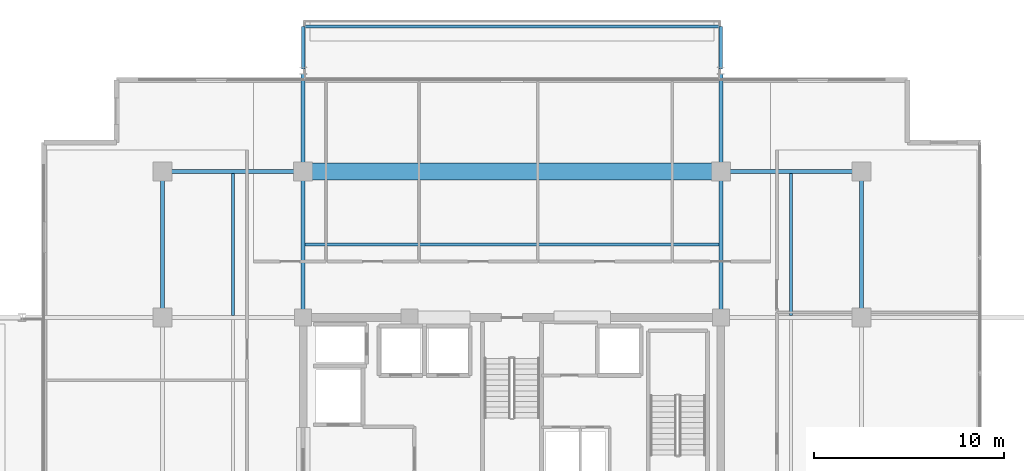
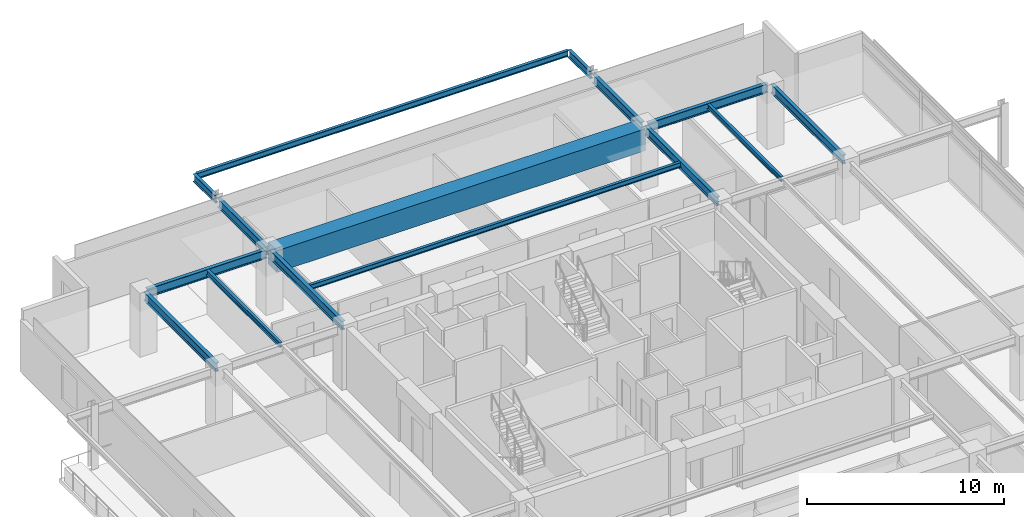
# One storey, part 10 of 20: 15 beams.
"""IFC4 building model written with IfcOpenShell, lengths in metres."""

import ifcopenshell
import ifcopenshell.guid

model = None  # the IFC model being written
_history = None  # IfcOwnerHistory: only IFC2X3 demands one
_inside = {}  # id of a spatial element -> (the spatial element, [elements in it])
_under = {}  # id of a project, library or spatial element -> (it, [spatial elements below it])
_declared = {}  # id of a project -> (the project, [libraries it declares])
_typed = {}  # id of a type object -> (the type object, [elements of that type])
_made_of = {}  # id of a material, layer set ... -> (it, [elements and type objects made of it])


def new_model(schema):
    """Start an empty IFC model of exactly this schema.

    Asked for "IFC4X3", IfcOpenShell would pick the latest addendum, in which some entities
    have other attributes; the version numbers below select the first issue.
    IFC2X3 requires an IfcOwnerHistory on every rooted entity: one is made here for all.
    """
    global model, _history
    if schema == "IFC4X3":
        model = ifcopenshell.file(schema_version=(4, 3, 0, 0))
    else:
        model = ifcopenshell.file(schema=schema)
    _inside.clear()
    _under.clear()
    _declared.clear()
    _typed.clear()
    _made_of.clear()
    _history = None
    if model.schema == "IFC2X3":
        org = make("IfcOrganization", Name="unknown")
        user = make(
            "IfcPersonAndOrganization",
            ThePerson=make("IfcPerson", FamilyName="unknown"),
            TheOrganization=org,
        )
        app = make(
            "IfcApplication",
            ApplicationDeveloper=org,
            Version="unknown",
            ApplicationFullName="unknown",
            ApplicationIdentifier="unknown",
        )
        _history = make(
            "IfcOwnerHistory",
            OwningUser=user,
            OwningApplication=app,
            ChangeAction="ADDED",
            CreationDate=0,
        )
    return model


def make(cls, **values):
    """One entity of the class cls with the attributes given. An attribute that is None is left unset."""
    return model.create_entity(
        cls, **{name: value for name, value in values.items() if value is not None}
    )


def rooted(cls, **values):
    """An entity with a GlobalId (a new one), such as an element, a storey or a relation."""
    return make(cls, GlobalId=ifcopenshell.guid.new(), OwnerHistory=_history, **values)


def si_unit(unit_type, name, prefix=None):
    """IfcSIUnit, for example si_unit("LENGTHUNIT", "METRE", prefix="MILLI")."""
    return make("IfcSIUnit", UnitType=unit_type, Prefix=prefix, Name=name)


def assignment(units):
    """IfcUnitAssignment: the units of a project."""
    return None if units is None else make("IfcUnitAssignment", Units=units)


def point(xyz):
    """IfcCartesianPoint."""
    return None if xyz is None else make("IfcCartesianPoint", Coordinates=xyz)


def direction(xyz):
    """IfcDirection."""
    return None if xyz is None else make("IfcDirection", DirectionRatios=xyz)


def frame(location, z_axis=None, x_axis=None):
    """IfcAxis2Placement3D, a coordinate frame: its origin and axes. An axis left out is left unset."""
    return make(
        "IfcAxis2Placement3D",
        Location=point(location),
        Axis=direction(z_axis),
        RefDirection=direction(x_axis),
    )


def frame_2d(location, x_axis=None):
    """IfcAxis2Placement2D, a coordinate frame in the plane: its origin and x axis."""
    return make(
        "IfcAxis2Placement2D", Location=point(location), RefDirection=direction(x_axis)
    )


def origin():
    """The frame at (0, 0, 0) with its axes left unset."""
    return frame((0.0, 0.0, 0.0))


def origin_2d():
    """The frame at (0, 0) in the plane with its x axis left unset."""
    return frame_2d((0.0, 0.0))


def place(relative_to, where):
    """IfcLocalPlacement: puts the frame where relative to a parent placement (None: the world)."""
    return make(
        "IfcLocalPlacement", PlacementRelTo=relative_to, RelativePlacement=where
    )


def context(
    kind, dimensions, precision=None, world=None, true_north=None, identifier=None
):
    """IfcGeometricRepresentationContext, for example the 3D "Model" context."""
    return make(
        "IfcGeometricRepresentationContext",
        ContextIdentifier=identifier,
        ContextType=kind,
        CoordinateSpaceDimension=dimensions,
        Precision=precision,
        WorldCoordinateSystem=world,
        TrueNorth=true_north,
    )


def subcontext(parent, identifier, kind, view, scale=None):
    """IfcGeometricRepresentationSubContext, for example "Body" below "Model"."""
    return make(
        "IfcGeometricRepresentationSubContext",
        ContextIdentifier=identifier,
        ContextType=kind,
        ParentContext=parent,
        TargetScale=scale,
        TargetView=view,
    )


def project(units=None, contexts=None):
    """IfcProject with its units and contexts."""
    return rooted(
        "IfcProject",
        Name="project",
        RepresentationContexts=contexts,
        UnitsInContext=assignment(units),
    )


def spatial(cls, under=None, at=None, **own):
    """A site, building, storey or space (cls), placed at a placement, below another one or the project."""
    s = rooted(cls, ObjectPlacement=at, **own)
    if under is not None:
        _under.setdefault(under.id(), (under, []))[1].append(s)
    return s


def profile(cls, at=None, kind="AREA", **sizes):
    """A parametric profile (cls). Its sizes go by their IFC names, for example OverallWidth=200.0."""
    return make(cls, ProfileType=kind, Position=at, **sizes)


def rectangle(**sizes):
    """IfcRectangleProfileDef."""
    return profile("IfcRectangleProfileDef", **sizes)


def i_section(**sizes):
    """IfcIShapeProfileDef."""
    return profile("IfcIShapeProfileDef", **sizes)


def extrude(swept, where, along, depth):
    """IfcExtrudedAreaSolid: the profile swept, set in the frame where, extruded along a direction by depth."""
    return make(
        "IfcExtrudedAreaSolid",
        SweptArea=swept,
        Position=where,
        ExtrudedDirection=direction(along),
        Depth=depth,
    )


def shape(context_of_items, identifier, shape_type, items):
    """IfcShapeRepresentation: the items that make up one representation, for example the "Body"."""
    return make(
        "IfcShapeRepresentation",
        ContextOfItems=context_of_items,
        RepresentationIdentifier=identifier,
        RepresentationType=shape_type,
        Items=items,
    )


def material(Name=None, Category=None):
    """IfcMaterial."""
    return make("IfcMaterial", Name=Name, Category=Category)


def material_profile(
    of_material, cross_section, Name=None, Category=None, Priority=None
):
    """IfcMaterialProfile: a cross section and its material."""
    return make(
        "IfcMaterialProfile",
        Name=Name,
        Material=of_material,
        Profile=cross_section,
        Priority=Priority,
        Category=Category,
    )


def profile_set(profiles, Name=None, composite=None):
    """IfcMaterialProfileSet."""
    return make(
        "IfcMaterialProfileSet",
        Name=Name,
        MaterialProfiles=profiles,
        CompositeProfile=composite,
    )


def made_of(thing, what):
    """Note that an element or type object is made of a material, layer set ...; save() writes the relation."""
    if what is not None:
        _made_of.setdefault(what.id(), (what, []))[1].append(thing)
    return thing


def type_object(cls, material=None, **own):
    """A type object (cls), such as IfcWallType, which elements share."""
    return made_of(rooted(cls, **own), material)


def element(
    cls,
    number,
    at=None,
    inside=None,
    cuts=None,
    type_object=None,
    material=None,
    context=None,
    identifier="Body",
    shape_type=None,
    held_by="IfcProductDefinitionShape",
    body=None,
    shapes=None,
    **own,
):
    """One element of the class cls, such as IfcWall. Its Tag is "e" and its number.

    at: its placement. inside: the storey or other place that contains it. cuts: it is an
    opening in that element (IfcRelVoidsElement). A single representation is given by context,
    identifier, shape_type and body (its items); several are given by shapes. held_by: the class
    of the entity that holds the representations. save() writes the other relations.
    """
    e = rooted(cls, Tag="e%d" % number, ObjectPlacement=at, **own)
    if body is not None:
        shapes = [shape(context, identifier, shape_type, body)]
    if shapes is not None:
        e.Representation = make(held_by, Representations=shapes)
    if inside is not None:
        _inside.setdefault(inside.id(), (inside, []))[1].append(e)
    if cuts is not None:
        rooted(
            "IfcRelVoidsElement", RelatingBuildingElement=cuts, RelatedOpeningElement=e
        )
    if type_object is not None:
        _typed.setdefault(type_object.id(), (type_object, []))[1].append(e)
    return made_of(e, material)


def aggregate(whole, parts):
    """IfcRelAggregates: a whole, such as a stair, and the parts it consists of."""
    return rooted("IfcRelAggregates", RelatingObject=whole, RelatedObjects=parts)


def save(model, path):
    """Write the relations noted so far, then the file.

    IfcRelAggregates (storeys below a building ...), IfcRelContainedInSpatialStructure (elements
    in a storey), IfcRelDefinesByType, IfcRelAssociatesMaterial and IfcRelDeclares: one each for
    every whole, place, type object, material and project.
    """
    for whole, parts in _under.values():
        aggregate(whole, parts)
    for where, things in _inside.values():
        rooted(
            "IfcRelContainedInSpatialStructure",
            RelatedElements=things,
            RelatingStructure=where,
        )
    for kind, things in _typed.values():
        rooted("IfcRelDefinesByType", RelatedObjects=things, RelatingType=kind)
    for what, things in _made_of.values():
        rooted("IfcRelAssociatesMaterial", RelatedObjects=things, RelatingMaterial=what)
    for by, libraries in _declared.values():
        rooted("IfcRelDeclares", RelatingContext=by, RelatedDefinitions=libraries)
    model.write(path)


model = new_model("IFC4")

# Units and contexts
model_context = context("Model", 3, precision=1e-05, world=origin(), true_north=direction((0.0, 1.0)))
body_context = subcontext(model_context, "Body", "Model", "MODEL_VIEW")
ifc_project = project(units=[si_unit("LENGTHUNIT", "METRE"), si_unit("AREAUNIT", "SQUARE_METRE"), si_unit("VOLUMEUNIT", "CUBIC_METRE"), si_unit("PLANEANGLEUNIT", "RADIAN"), si_unit("MASSUNIT", "GRAM", prefix="KILO")], contexts=[model_context])

# Site, building, storey
site_placement = place(None, origin())
site = spatial("IfcSite", under=ifc_project, at=site_placement, CompositionType="ELEMENT")
building_placement = place(site_placement, origin())
building = spatial("IfcBuilding", under=site, at=building_placement, Name="Kovane Verandah Tower", CompositionType="ELEMENT")
storey_placement = place(building_placement, frame((0.0, 0.0, 330.800048828125)))
storey = spatial("IfcBuildingStorey", under=building, at=storey_placement, Name="L77", CompositionType="ELEMENT", Elevation=330.800048828125)

# Beams
ifc_material_1 = material(Name="Concrete C80/95", Category="concrete")
ifc_material_profile_1 = material_profile(ifc_material_1, rectangle(XDim=0.89990234375, YDim=1.35009765625, at=origin_2d()), Name="RCB900x1350")
ifc_profile_set_1 = profile_set([ifc_material_profile_1], Name="Concrete C80/95")
beam_type_1 = type_object("IfcBeamType", Name="BM-TR-900x1350", PredefinedType="BEAM", material=ifc_profile_set_1)
beam_1_placement = place(storey_placement, frame((29.179931640625, 44.199951171875, 3.10986328125), z_axis=(1.0, 0.0, 0.0), x_axis=(0.0, 1.0, 0.0)))
element("IfcBeam", 1, at=beam_1_placement, inside=storey, type_object=beam_type_1, Name="L77 Primary Tower Girder G-RN2", PredefinedType="BEAM", context=body_context, shape_type="SweptSolid", body=[
    extrude(rectangle(XDim=0.89990234375, YDim=1.35009765625, at=origin_2d()), origin(), (0.0, 0.0, 1.0), 21.64013671875),
])
ifc_material_2 = material(Name="Steel S355", Category="steel")
ifc_material_profile_2 = material_profile(ifc_material_2, i_section(OverallWidth=0.2119140625, OverallDepth=0.54443359375, WebThickness=0.0126953125, FlangeThickness=0.021240234375, FilletRadius=0.0126953125, at=origin_2d()), Name="UB533x210x122")
ifc_profile_set_2 = profile_set([ifc_material_profile_2], Name="Steel S355")
beam_type_2 = type_object("IfcBeamType", Name="BM-UB533x122", PredefinedType="BEAM", material=ifc_profile_set_2)
for number, where, z_axis, x_axis, name in (
    (2, (21.780029296875, 44.199951171875, 3.5126953125), (1.0, 0.0, 0.0), (0.0, 1.0, 0.0), "L77 Primary Tower Girder G-RN1"),
    (3, (51.179931640625, 44.199951171875, 3.5126953125), (1.0, 0.0, 0.0), (0.0, 1.0, 0.0), "L77 Primary Tower Girder G-RN3"),
):
    element("IfcBeam", number, at=place(storey_placement, frame(where, z_axis=z_axis, x_axis=x_axis)), inside=storey, type_object=beam_type_2, Name=name, PredefinedType="BEAM", context=body_context, shape_type="SweptSolid", body=[
        extrude(i_section(OverallWidth=0.2119140625, OverallDepth=0.54443359375, WebThickness=0.0126953125, FlangeThickness=0.021240234375, FilletRadius=0.0126953125, at=origin_2d()), origin(), (0.0, 0.0, 1.0), 7.0400390625),
    ])
for number, where, z_axis, x_axis, name in (
    (4, (21.60009765625, 36.679931640625, 3.5126953125), (0.0, 1.0, 0.0), (-1.0, 0.0, 0.0), "L77 Primary Tower Girder G-RW3"),
    (5, (58.39990234375, 36.679931640625, 3.5126953125), (0.0, 1.0, 0.0), (-1.0, 0.0, 0.0), "L77 Primary Tower Girder G-RE3"),
    (6, (29.0, 36.679931640625, 3.5126953125), (0.0, 1.0, 0.0), (-1.0, 0.0, 0.0), "L77 Primary Tower Girder G-N1"),
    (7, (51.0, 36.679931640625, 3.5126953125), (0.0, 1.0, 0.0), (-1.0, 0.0, 0.0), "L77 Primary Tower Girder G-N2"),
):
    element("IfcBeam", number, at=place(storey_placement, frame(where, z_axis=z_axis, x_axis=x_axis)), inside=storey, type_object=beam_type_2, Name=name, PredefinedType="BEAM", context=body_context, shape_type="SweptSolid", body=[
        extrude(i_section(OverallWidth=0.2119140625, OverallDepth=0.54443359375, WebThickness=0.0126953125, FlangeThickness=0.021240234375, FilletRadius=0.0126953125, at=origin_2d()), origin(), (0.0, 0.0, 1.0), 7.340087890625),
    ])
for number, where, z_axis, x_axis, name in (
    (8, (29.0, 44.3798828125, 3.48779296875), (0.0, 1.0, 0.0), (-1.0, 0.0, 0.0), "L77 Primary Tower Girder G-VN1"),
    (9, (51.0, 44.3798828125, 3.48779296875), (0.0, 1.0, 0.0), (-1.0, 0.0, 0.0), "L77 Primary Tower Girder G-VN2"),
):
    element("IfcBeam", number, at=place(storey_placement, frame(where, z_axis=z_axis, x_axis=x_axis)), inside=storey, type_object=beam_type_2, Name=name, PredefinedType="BEAM", context=body_context, shape_type="SweptSolid", body=[
        extrude(i_section(OverallWidth=0.2119140625, OverallDepth=0.54443359375, WebThickness=0.0126953125, FlangeThickness=0.021240234375, FilletRadius=0.0126953125, at=origin_2d()), origin(), (0.0, 0.0, 1.0), 4.940185546875),
    ])
ifc_material_profile_3 = material_profile(ifc_material_2, i_section(OverallWidth=0.1669921875, OverallDepth=0.310302734375, WebThickness=0.0078125, FlangeThickness=0.013671875, FilletRadius=0.0087890625, at=origin_2d()), Name="UB305x165x54")
ifc_profile_set_3 = profile_set([ifc_material_profile_3], Name="Steel S355")
beam_type_3 = type_object("IfcBeamType", Name="JST-UB305x54", PredefinedType="JOIST", material=ifc_profile_set_3)
beam_2_placement = place(storey_placement, frame((29.10400390625, 40.35009765625, 3.629638671875), z_axis=(1.0, 0.0, 0.0), x_axis=(0.0, 1.0, 0.0)))
element("IfcBeam", 10, at=beam_2_placement, inside=storey, type_object=beam_type_3, Name="L77 Secondary Composite Joist J-N1", PredefinedType="JOIST", context=body_context, shape_type="SweptSolid", body=[
    extrude(i_section(OverallWidth=0.1669921875, OverallDepth=0.310302734375, WebThickness=0.0078125, FlangeThickness=0.013671875, FilletRadius=0.0087890625, at=origin_2d()), origin(), (0.0, 0.0, 1.0), 21.7919921875),
])
for number, where, z_axis, x_axis, name in (
    (11, (25.300048828125, 36.60400390625, 3.629638671875), (0.0, 1.0, 0.0), (-1.0, 0.0, 0.0), "L77 Secondary Composite Joist J-NW1"),
    (12, (54.699951171875, 36.60400390625, 3.629638671875), (0.0, 1.0, 0.0), (-1.0, 0.0, 0.0), "L77 Secondary Composite Joist J-NE1"),
):
    element("IfcBeam", number, at=place(storey_placement, frame(where, z_axis=z_axis, x_axis=x_axis)), inside=storey, type_object=beam_type_3, Name=name, PredefinedType="JOIST", context=body_context, shape_type="SweptSolid", body=[
        extrude(i_section(OverallWidth=0.1669921875, OverallDepth=0.310302734375, WebThickness=0.0078125, FlangeThickness=0.013671875, FilletRadius=0.0087890625, at=origin_2d()), origin(), (0.0, 0.0, 1.0), 7.491943359375),
    ])
ifc_material_profile_4 = material_profile(ifc_material_2, i_section(OverallWidth=0.19287109375, OverallDepth=0.46728515625, WebThickness=0.011474609375, FlangeThickness=0.01953125, FilletRadius=0.01025390625, at=origin_2d()), Name="UB457x191x98")
ifc_profile_set_4 = profile_set([ifc_material_profile_4], Name="Steel S355")
beam_type_4 = type_object("IfcBeamType", Name="JST-UB457x98", PredefinedType="JOIST", material=ifc_profile_set_4)
for number, where, z_axis, x_axis, name in (
    (13, (29.0, 49.580078125, 3.5263671875), (0.0, 1.0, 0.0), (-1.0, 0.0, 0.0), "L77 North Planter Girder 1"),
    (14, (51.0, 49.580078125, 3.5263671875), (0.0, 1.0, 0.0), (-1.0, 0.0, 0.0), "L77 North Planter Girder 2"),
):
    element("IfcBeam", number, at=place(storey_placement, frame(where, z_axis=z_axis, x_axis=x_axis)), inside=storey, type_object=beam_type_4, Name=name, PredefinedType="JOIST", context=body_context, shape_type="SweptSolid", body=[
        extrude(i_section(OverallWidth=0.19287109375, OverallDepth=0.46728515625, WebThickness=0.011474609375, FlangeThickness=0.01953125, FilletRadius=0.01025390625, at=origin_2d()), origin(), (0.0, 0.0, 1.0), 2.2421875),
    ])
ifc_material_profile_5 = material_profile(ifc_material_2, i_section(OverallWidth=0.173095703125, OverallDepth=0.36328125, WebThickness=0.009033203125, FlangeThickness=0.015625, FilletRadius=0.01025390625, at=origin_2d()), Name="UB356x171x67")
ifc_profile_set_5 = profile_set([ifc_material_profile_5], Name="Steel S355")
beam_type_5 = type_object("IfcBeamType", Name="SPD-UB356x67", PredefinedType="USERDEFINED", material=ifc_profile_set_5)
beam_3_placement = place(storey_placement, frame((29.094482421875, 51.822265625, 3.578369140625), z_axis=(1.0, 0.0, 0.0), x_axis=(0.0, 1.0, 0.0)))
element("IfcBeam", 15, at=beam_3_placement, inside=storey, type_object=beam_type_5, Name="L77 North Planter Edge Spandrel", ObjectType="SPANDREL", PredefinedType="USERDEFINED", context=body_context, shape_type="SweptSolid", body=[
    extrude(i_section(OverallWidth=0.173095703125, OverallDepth=0.36328125, WebThickness=0.009033203125, FlangeThickness=0.015625, FilletRadius=0.01025390625, at=origin_2d()), origin(), (0.0, 0.0, 1.0), 21.81103515625),
])

save(model, "model.ifc")
